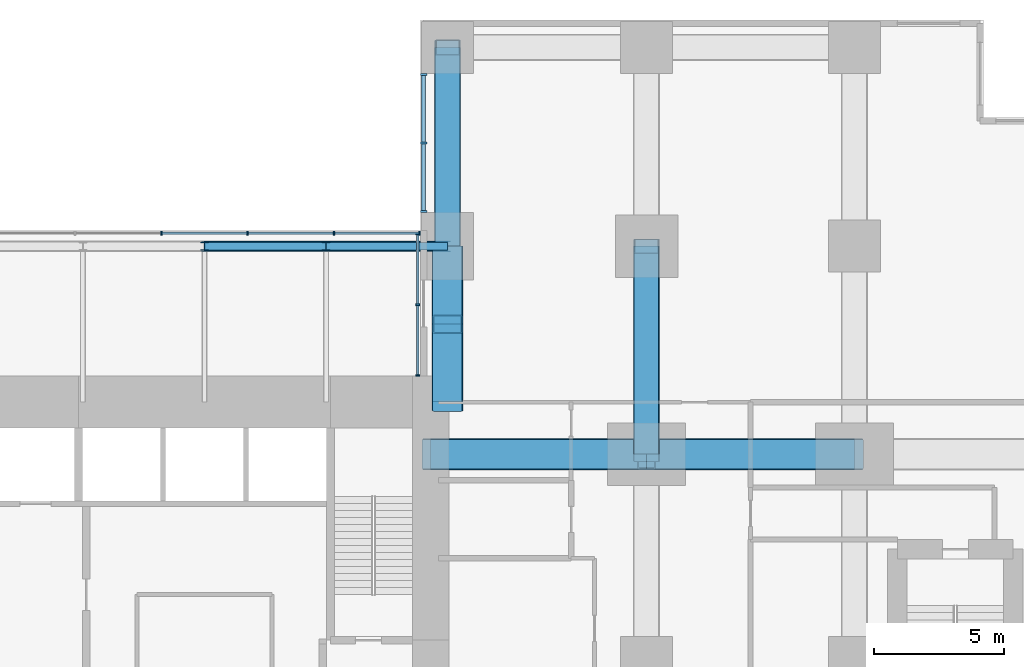
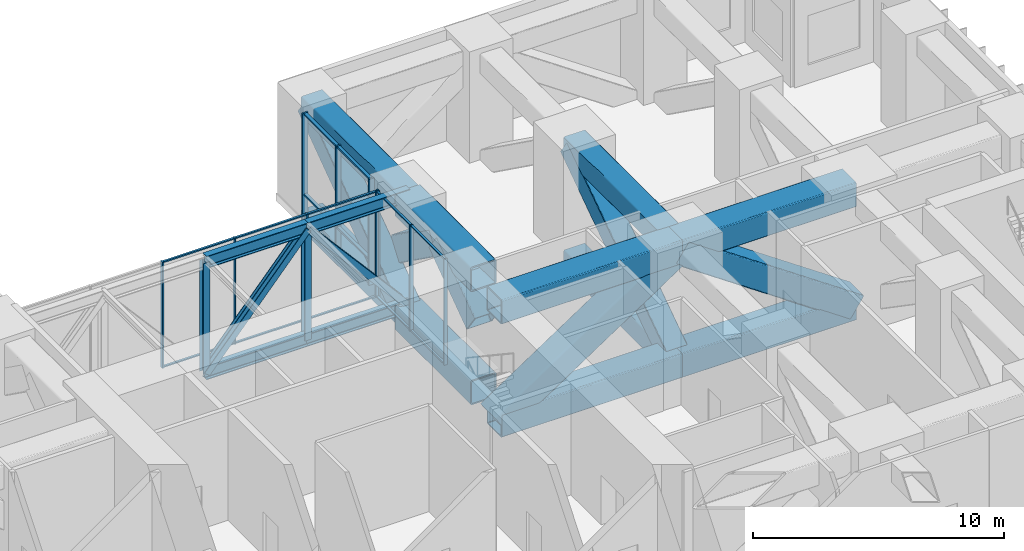
# One storey, part 6 of 17: 46 members, 4 beams, 3 elements without a shape of their own.
"""IFC4 building model written with IfcOpenShell, lengths in metres."""

import ifcopenshell
import ifcopenshell.guid

model = None  # the IFC model being written
_history = None  # IfcOwnerHistory: only IFC2X3 demands one
_inside = {}  # id of a spatial element -> (the spatial element, [elements in it])
_under = {}  # id of a project, library or spatial element -> (it, [spatial elements below it])
_declared = {}  # id of a project -> (the project, [libraries it declares])
_typed = {}  # id of a type object -> (the type object, [elements of that type])
_made_of = {}  # id of a material, layer set ... -> (it, [elements and type objects made of it])


def new_model(schema):
    """Start an empty IFC model of exactly this schema.

    Asked for "IFC4X3", IfcOpenShell would pick the latest addendum, in which some entities
    have other attributes; the version numbers below select the first issue.
    IFC2X3 requires an IfcOwnerHistory on every rooted entity: one is made here for all.
    """
    global model, _history
    if schema == "IFC4X3":
        model = ifcopenshell.file(schema_version=(4, 3, 0, 0))
    else:
        model = ifcopenshell.file(schema=schema)
    _inside.clear()
    _under.clear()
    _declared.clear()
    _typed.clear()
    _made_of.clear()
    _history = None
    if model.schema == "IFC2X3":
        org = make("IfcOrganization", Name="unknown")
        user = make(
            "IfcPersonAndOrganization",
            ThePerson=make("IfcPerson", FamilyName="unknown"),
            TheOrganization=org,
        )
        app = make(
            "IfcApplication",
            ApplicationDeveloper=org,
            Version="unknown",
            ApplicationFullName="unknown",
            ApplicationIdentifier="unknown",
        )
        _history = make(
            "IfcOwnerHistory",
            OwningUser=user,
            OwningApplication=app,
            ChangeAction="ADDED",
            CreationDate=0,
        )
    return model


def make(cls, **values):
    """One entity of the class cls with the attributes given. An attribute that is None is left unset."""
    return model.create_entity(
        cls, **{name: value for name, value in values.items() if value is not None}
    )


def rooted(cls, **values):
    """An entity with a GlobalId (a new one), such as an element, a storey or a relation."""
    return make(cls, GlobalId=ifcopenshell.guid.new(), OwnerHistory=_history, **values)


def si_unit(unit_type, name, prefix=None):
    """IfcSIUnit, for example si_unit("LENGTHUNIT", "METRE", prefix="MILLI")."""
    return make("IfcSIUnit", UnitType=unit_type, Prefix=prefix, Name=name)


def assignment(units):
    """IfcUnitAssignment: the units of a project."""
    return None if units is None else make("IfcUnitAssignment", Units=units)


def point(xyz):
    """IfcCartesianPoint."""
    return None if xyz is None else make("IfcCartesianPoint", Coordinates=xyz)


def direction(xyz):
    """IfcDirection."""
    return None if xyz is None else make("IfcDirection", DirectionRatios=xyz)


def frame(location, z_axis=None, x_axis=None):
    """IfcAxis2Placement3D, a coordinate frame: its origin and axes. An axis left out is left unset."""
    return make(
        "IfcAxis2Placement3D",
        Location=point(location),
        Axis=direction(z_axis),
        RefDirection=direction(x_axis),
    )


def frame_2d(location, x_axis=None):
    """IfcAxis2Placement2D, a coordinate frame in the plane: its origin and x axis."""
    return make(
        "IfcAxis2Placement2D", Location=point(location), RefDirection=direction(x_axis)
    )


def origin():
    """The frame at (0, 0, 0) with its axes left unset."""
    return frame((0.0, 0.0, 0.0))


def origin_2d():
    """The frame at (0, 0) in the plane with its x axis left unset."""
    return frame_2d((0.0, 0.0))


def place(relative_to, where):
    """IfcLocalPlacement: puts the frame where relative to a parent placement (None: the world)."""
    return make(
        "IfcLocalPlacement", PlacementRelTo=relative_to, RelativePlacement=where
    )


def context(
    kind, dimensions, precision=None, world=None, true_north=None, identifier=None
):
    """IfcGeometricRepresentationContext, for example the 3D "Model" context."""
    return make(
        "IfcGeometricRepresentationContext",
        ContextIdentifier=identifier,
        ContextType=kind,
        CoordinateSpaceDimension=dimensions,
        Precision=precision,
        WorldCoordinateSystem=world,
        TrueNorth=true_north,
    )


def subcontext(parent, identifier, kind, view, scale=None):
    """IfcGeometricRepresentationSubContext, for example "Body" below "Model"."""
    return make(
        "IfcGeometricRepresentationSubContext",
        ContextIdentifier=identifier,
        ContextType=kind,
        ParentContext=parent,
        TargetScale=scale,
        TargetView=view,
    )


def project(units=None, contexts=None):
    """IfcProject with its units and contexts."""
    return rooted(
        "IfcProject",
        Name="project",
        RepresentationContexts=contexts,
        UnitsInContext=assignment(units),
    )


def spatial(cls, under=None, at=None, **own):
    """A site, building, storey or space (cls), placed at a placement, below another one or the project."""
    s = rooted(cls, ObjectPlacement=at, **own)
    if under is not None:
        _under.setdefault(under.id(), (under, []))[1].append(s)
    return s


def profile(cls, at=None, kind="AREA", **sizes):
    """A parametric profile (cls). Its sizes go by their IFC names, for example OverallWidth=200.0."""
    return make(cls, ProfileType=kind, Position=at, **sizes)


def rectangle(**sizes):
    """IfcRectangleProfileDef."""
    return profile("IfcRectangleProfileDef", **sizes)


def hollow_rectangle(**sizes):
    """IfcRectangleHollowProfileDef."""
    return profile("IfcRectangleHollowProfileDef", **sizes)


def i_section(**sizes):
    """IfcIShapeProfileDef."""
    return profile("IfcIShapeProfileDef", **sizes)


def extrude(swept, where, along, depth):
    """IfcExtrudedAreaSolid: the profile swept, set in the frame where, extruded along a direction by depth."""
    return make(
        "IfcExtrudedAreaSolid",
        SweptArea=swept,
        Position=where,
        ExtrudedDirection=direction(along),
        Depth=depth,
    )


def shape(context_of_items, identifier, shape_type, items):
    """IfcShapeRepresentation: the items that make up one representation, for example the "Body"."""
    return make(
        "IfcShapeRepresentation",
        ContextOfItems=context_of_items,
        RepresentationIdentifier=identifier,
        RepresentationType=shape_type,
        Items=items,
    )


def material(Name=None, Category=None):
    """IfcMaterial."""
    return make("IfcMaterial", Name=Name, Category=Category)


def layer(
    of_material, thickness, ventilated=None, Name=None, Category=None, Priority=None
):
    """IfcMaterialLayer: one layer of a wall or slab, of a material (None: an air gap)."""
    return make(
        "IfcMaterialLayer",
        Material=of_material,
        LayerThickness=thickness,
        IsVentilated=ventilated,
        Name=Name,
        Category=Category,
        Priority=Priority,
    )


def layer_set(layers, Name=None):
    """IfcMaterialLayerSet."""
    return make("IfcMaterialLayerSet", MaterialLayers=layers, LayerSetName=Name)


def material_profile(
    of_material, cross_section, Name=None, Category=None, Priority=None
):
    """IfcMaterialProfile: a cross section and its material."""
    return make(
        "IfcMaterialProfile",
        Name=Name,
        Material=of_material,
        Profile=cross_section,
        Priority=Priority,
        Category=Category,
    )


def profile_set(profiles, Name=None, composite=None):
    """IfcMaterialProfileSet."""
    return make(
        "IfcMaterialProfileSet",
        Name=Name,
        MaterialProfiles=profiles,
        CompositeProfile=composite,
    )


def made_of(thing, what):
    """Note that an element or type object is made of a material, layer set ...; save() writes the relation."""
    if what is not None:
        _made_of.setdefault(what.id(), (what, []))[1].append(thing)
    return thing


def type_object(cls, material=None, **own):
    """A type object (cls), such as IfcWallType, which elements share."""
    return made_of(rooted(cls, **own), material)


def element(
    cls,
    number,
    at=None,
    inside=None,
    cuts=None,
    type_object=None,
    material=None,
    context=None,
    identifier="Body",
    shape_type=None,
    held_by="IfcProductDefinitionShape",
    body=None,
    shapes=None,
    **own,
):
    """One element of the class cls, such as IfcWall. Its Tag is "e" and its number.

    at: its placement. inside: the storey or other place that contains it. cuts: it is an
    opening in that element (IfcRelVoidsElement). A single representation is given by context,
    identifier, shape_type and body (its items); several are given by shapes. held_by: the class
    of the entity that holds the representations. save() writes the other relations.
    """
    e = rooted(cls, Tag="e%d" % number, ObjectPlacement=at, **own)
    if body is not None:
        shapes = [shape(context, identifier, shape_type, body)]
    if shapes is not None:
        e.Representation = make(held_by, Representations=shapes)
    if inside is not None:
        _inside.setdefault(inside.id(), (inside, []))[1].append(e)
    if cuts is not None:
        rooted(
            "IfcRelVoidsElement", RelatingBuildingElement=cuts, RelatedOpeningElement=e
        )
    if type_object is not None:
        _typed.setdefault(type_object.id(), (type_object, []))[1].append(e)
    return made_of(e, material)


def aggregate(whole, parts):
    """IfcRelAggregates: a whole, such as a stair, and the parts it consists of."""
    return rooted("IfcRelAggregates", RelatingObject=whole, RelatedObjects=parts)


def save(model, path):
    """Write the relations noted so far, then the file.

    IfcRelAggregates (storeys below a building ...), IfcRelContainedInSpatialStructure (elements
    in a storey), IfcRelDefinesByType, IfcRelAssociatesMaterial and IfcRelDeclares: one each for
    every whole, place, type object, material and project.
    """
    for whole, parts in _under.values():
        aggregate(whole, parts)
    for where, things in _inside.values():
        rooted(
            "IfcRelContainedInSpatialStructure",
            RelatedElements=things,
            RelatingStructure=where,
        )
    for kind, things in _typed.values():
        rooted("IfcRelDefinesByType", RelatedObjects=things, RelatingType=kind)
    for what, things in _made_of.values():
        rooted("IfcRelAssociatesMaterial", RelatedObjects=things, RelatingMaterial=what)
    for by, libraries in _declared.values():
        rooted("IfcRelDeclares", RelatingContext=by, RelatedDefinitions=libraries)
    model.write(path)


model = new_model("IFC4")

# Units and contexts
model_context = context("Model", 3, precision=1e-05, world=origin(), true_north=direction((0.0, 1.0)))
body_context = subcontext(model_context, "Body", "Model", "MODEL_VIEW")
ifc_project = project(units=[si_unit("LENGTHUNIT", "METRE"), si_unit("AREAUNIT", "SQUARE_METRE"), si_unit("VOLUMEUNIT", "CUBIC_METRE"), si_unit("PLANEANGLEUNIT", "RADIAN"), si_unit("MASSUNIT", "GRAM", prefix="KILO")], contexts=[model_context])

# Site, building, storey
site_placement = place(None, origin())
site = spatial("IfcSite", under=ifc_project, at=site_placement, CompositionType="ELEMENT")
building_placement = place(site_placement, origin())
building = spatial("IfcBuilding", under=site, at=building_placement, Name="Cleftline Residences", CompositionType="ELEMENT")
storey_placement = place(building_placement, frame((0.0, 0.0, 90.800048828125)))
storey = spatial("IfcBuildingStorey", under=building, at=storey_placement, Name="L23", CompositionType="ELEMENT", Elevation=90.800048828125)

# Members
ifc_material_1 = material(Name="Steel S355", Category="steel")
ifc_material_profile_1 = material_profile(ifc_material_1, hollow_rectangle(XDim=1.0, YDim=1.0, WallThickness=0.0400390625, InnerFilletRadius=0.0400390625, OuterFilletRadius=0.06005859375, at=origin_2d()))
ifc_profile_set_1 = profile_set([ifc_material_profile_1], Name="Steel S355")
member_type_1 = type_object("IfcMemberType", Name="BRACE BOX 1000X1000X40", PredefinedType="BRACE", material=ifc_profile_set_1)
member_1_placement = place(storey_placement, frame((42.35009765625, 40.0, -0.85009765625), z_axis=(0.0, 0.811933238445, 0.583750303048), x_axis=(0.0, -0.583750303048, 0.811933238445)))
element("IfcMember", 1, at=member_1_placement, inside=storey, type_object=member_type_1, Name="Belt truss diagonal", PredefinedType="BRACE", context=body_context, shape_type="SweptSolid", body=[
    extrude(hollow_rectangle(XDim=1.0, YDim=1.0, WallThickness=0.0400390625, InnerFilletRadius=0.0400390625, OuterFilletRadius=0.06005859375, at=origin_2d()), origin(), (0.0, 0.0, 1.0), 9.421875),
])
member_2_placement = place(storey_placement, frame((50.0, 32.0, -0.85009765625), z_axis=(0.0, 0.824041924199, 0.566528822887), x_axis=(0.0, -0.566528822887, 0.824041924199)))
element("IfcMember", 2, at=member_2_placement, inside=storey, type_object=member_type_1, Name="Belt truss diagonal", PredefinedType="BRACE", context=body_context, shape_type="SweptSolid", body=[
    extrude(hollow_rectangle(XDim=1.0, YDim=1.0, WallThickness=0.0400390625, InnerFilletRadius=0.0400390625, OuterFilletRadius=0.06005859375, at=origin_2d()), origin(), (0.0, 0.0, 1.0), 9.708251953125),
])
ifc_material_2 = material(Name="Steel S355", Category="steel")
ifc_material_profile_2 = material_profile(ifc_material_2, hollow_rectangle(XDim=1.199951171875, YDim=1.199951171875, WallThickness=0.06005859375, InnerFilletRadius=0.06005859375, OuterFilletRadius=0.090087890625, at=origin_2d()))
ifc_profile_set_2 = profile_set([ifc_material_profile_2], Name="Steel S355")
member_type_2 = type_object("IfcMemberType", Name="BRACE BOX 1200X1200X60", PredefinedType="BRACE", material=ifc_profile_set_2)
member_3_placement = place(storey_placement, frame((41.699951171875, 32.0, -0.949951171875), z_axis=(0.833593682581, 0.0, 0.552378106338), x_axis=(-0.552378106338, 0.0, 0.833593682581)))
element("IfcMember", 3, at=member_3_placement, inside=storey, type_object=member_type_2, Name="Outrigger truss diagonal", PredefinedType="BRACE", context=body_context, shape_type="SweptSolid", body=[
    extrude(hollow_rectangle(XDim=1.199951171875, YDim=1.199951171875, WallThickness=0.06005859375, InnerFilletRadius=0.06005859375, OuterFilletRadius=0.090087890625, at=origin_2d()), origin(), (0.0, 0.0, 1.0), 9.95703125),
])
member_4_placement = place(storey_placement, frame((50.0, 32.0, 4.550048828125), z_axis=(0.824041924199, 0.0, -0.566528822887), x_axis=(0.566528822887, 0.0, 0.824041924199)))
element("IfcMember", 4, at=member_4_placement, inside=storey, type_object=member_type_2, Name="Outrigger truss diagonal", PredefinedType="BRACE", context=body_context, shape_type="SweptSolid", body=[
    extrude(hollow_rectangle(XDim=1.199951171875, YDim=1.199951171875, WallThickness=0.06005859375, InnerFilletRadius=0.06005859375, OuterFilletRadius=0.090087890625, at=origin_2d()), origin(), (0.0, 0.0, 1.0), 9.708251953125),
])
for number, where, z_axis, x_axis, name in (
    (5, (42.35009765625, 40.0, 2.39990234375), (0.0, -0.812798335898, 0.582545161479), (0.0, 0.582545161479, 0.812798335898), "Outrigger truss diagonal"),
    (6, (42.35009765625, 34.0, 2.39990234375), (0.0, 0.812798335898, 0.582545161479), (0.0, -0.582545161479, 0.812798335898), "Outrigger truss diagonal"),
):
    element("IfcMember", number, at=place(storey_placement, frame(where, z_axis=z_axis, x_axis=x_axis)), inside=storey, type_object=member_type_2, Name=name, PredefinedType="BRACE", context=body_context, shape_type="SweptSolid", body=[
        extrude(hollow_rectangle(XDim=1.199951171875, YDim=1.199951171875, WallThickness=0.06005859375, InnerFilletRadius=0.06005859375, OuterFilletRadius=0.090087890625, at=origin_2d()), origin(), (0.0, 0.0, 1.0), 3.69091796875),
    ])
ifc_material_3 = material(Name="Steel S355", Category="steel")
ifc_material_profile_3 = material_profile(ifc_material_3, i_section(OverallWidth=0.300048828125, OverallDepth=0.39990234375, WebThickness=0.013427734375, FlangeThickness=0.02392578125, FilletRadius=0.027099609375, at=origin_2d()))
ifc_profile_set_3 = profile_set([ifc_material_profile_3], Name="Steel S355")
member_type_3 = type_object("IfcMemberType", Name="BRACE HEB 400", PredefinedType="BRACE", material=ifc_profile_set_3)
for number, where, z_axis, x_axis, name in (
    (7, (33.0, 40.0, -0.5), (0.654541355199, 0.0, 0.756026199503), (-0.756026199503, 0.0, 0.654541355199), "Sky bridge truss diagonal"),
    (8, (37.675048828125, 40.0, 4.89990234375), (0.654541355199, 0.0, -0.756026199503), (0.756026199503, 0.0, 0.654541355199), "Sky bridge truss diagonal"),
):
    element("IfcMember", number, at=place(storey_placement, frame(where, z_axis=z_axis, x_axis=x_axis)), inside=storey, type_object=member_type_3, Name=name, PredefinedType="BRACE", context=body_context, shape_type="SweptSolid", body=[
        extrude(i_section(OverallWidth=0.300048828125, OverallDepth=0.39990234375, WebThickness=0.013427734375, FlangeThickness=0.02392578125, FilletRadius=0.027099609375, at=origin_2d()), origin(), (0.0, 0.0, 1.0), 7.142578125),
    ])

# Beams
ifc_material_4 = material(Name="Steel S355", Category="steel")
ifc_material_profile_4 = material_profile(ifc_material_4, i_section(OverallWidth=0.300048828125, OverallDepth=0.60009765625, WebThickness=0.015380859375, FlangeThickness=0.030029296875, FilletRadius=0.027099609375, at=origin_2d()))
ifc_profile_set_4 = profile_set([ifc_material_profile_4], Name="Steel S355")
beam_type = type_object("IfcBeamType", Name="BRIDGE CHORD HEB 600", PredefinedType="BEAM", material=ifc_profile_set_4)
for number, where, z_axis, x_axis, name in (
    (9, (33.0, 40.0, -0.5), (1.0, 0.0, 0.0), (0.0, 1.0, 0.0), "Sky bridge truss bottom chord"),
    (10, (33.0, 40.0, 4.89990234375), (1.0, 0.0, 0.0), (0.0, 1.0, 0.0), "Sky bridge truss top chord"),
    (11, (37.675048828125, 40.0, -0.5), (1.0, 0.0, 0.0), (0.0, 1.0, 0.0), "Sky bridge truss bottom chord"),
    (12, (37.675048828125, 40.0, 4.89990234375), (1.0, 0.0, 0.0), (0.0, 1.0, 0.0), "Sky bridge truss top chord"),
):
    element("IfcBeam", number, at=place(storey_placement, frame(where, z_axis=z_axis, x_axis=x_axis)), inside=storey, type_object=beam_type, Name=name, PredefinedType="BEAM", context=body_context, shape_type="SweptSolid", body=[
        extrude(i_section(OverallWidth=0.300048828125, OverallDepth=0.60009765625, WebThickness=0.015380859375, FlangeThickness=0.030029296875, FilletRadius=0.027099609375, at=origin_2d()), origin(), (0.0, 0.0, 1.0), 4.675048828125),
    ])

# Members
ifc_material_5 = material(Name="Steel S355", Category="steel")
ifc_material_profile_5 = material_profile(ifc_material_5, hollow_rectangle(XDim=1.0, YDim=1.0, WallThickness=0.0400390625, InnerFilletRadius=0.0400390625, OuterFilletRadius=0.06005859375, at=origin_2d()))
ifc_profile_set_5 = profile_set([ifc_material_profile_5], Name="Steel S355")
member_type_4 = type_object("IfcMemberType", Name="CHORD BOX 1000X1000X40", PredefinedType="CHORD", material=ifc_profile_set_5)
for number, where, z_axis, x_axis, name in (
    (13, (42.35009765625, 40.0, -0.85009765625), (0.0, 1.0, 0.0), (-1.0, 0.0, 0.0), "Belt truss bottom chord"),
    (14, (42.35009765625, 40.0, 4.64990234375), (0.0, 1.0, 0.0), (-1.0, 0.0, 0.0), "Belt truss top chord"),
):
    element("IfcMember", number, at=place(storey_placement, frame(where, z_axis=z_axis, x_axis=x_axis)), inside=storey, type_object=member_type_4, Name=name, PredefinedType="CHORD", context=body_context, shape_type="SweptSolid", body=[
        extrude(hollow_rectangle(XDim=1.0, YDim=1.0, WallThickness=0.0400390625, InnerFilletRadius=0.0400390625, OuterFilletRadius=0.06005859375, at=origin_2d()), origin(), (0.0, 0.0, 1.0), 7.64990234375),
    ])
for number, where, z_axis, x_axis, name in (
    (15, (50.0, 32.0, -0.85009765625), (0.0, 1.0, 0.0), (-1.0, 0.0, 0.0), "Belt truss bottom chord"),
    (16, (50.0, 32.0, 4.64990234375), (0.0, 1.0, 0.0), (-1.0, 0.0, 0.0), "Belt truss top chord"),
):
    element("IfcMember", number, at=place(storey_placement, frame(where, z_axis=z_axis, x_axis=x_axis)), inside=storey, type_object=member_type_4, Name=name, PredefinedType="CHORD", context=body_context, shape_type="SweptSolid", body=[
        extrude(hollow_rectangle(XDim=1.0, YDim=1.0, WallThickness=0.0400390625, InnerFilletRadius=0.0400390625, OuterFilletRadius=0.06005859375, at=origin_2d()), origin(), (0.0, 0.0, 1.0), 8.0),
    ])
ifc_material_6 = material(Name="Steel S355", Category="steel")
ifc_material_profile_6 = material_profile(ifc_material_6, hollow_rectangle(XDim=1.199951171875, YDim=1.199951171875, WallThickness=0.06005859375, InnerFilletRadius=0.06005859375, OuterFilletRadius=0.090087890625, at=origin_2d()))
ifc_profile_set_6 = profile_set([ifc_material_profile_6], Name="Steel S355")
member_type_5 = type_object("IfcMemberType", Name="CHORD BOX 1200X1200X60", PredefinedType="CHORD", material=ifc_profile_set_6)
for number, where, z_axis, x_axis, name in (
    (17, (41.699951171875, 32.0, -0.949951171875), (1.0, 0.0, 0.0), (0.0, 1.0, 0.0), "Outrigger truss bottom chord"),
    (18, (41.699951171875, 32.0, 4.550048828125), (1.0, 0.0, 0.0), (0.0, 1.0, 0.0), "Outrigger truss top chord"),
):
    element("IfcMember", number, at=place(storey_placement, frame(where, z_axis=z_axis, x_axis=x_axis)), inside=storey, type_object=member_type_5, Name=name, PredefinedType="CHORD", context=body_context, shape_type="SweptSolid", body=[
        extrude(hollow_rectangle(XDim=1.199951171875, YDim=1.199951171875, WallThickness=0.06005859375, InnerFilletRadius=0.06005859375, OuterFilletRadius=0.090087890625, at=origin_2d()), origin(), (0.0, 0.0, 1.0), 8.300048828125),
    ])
for number, where, z_axis, x_axis, name in (
    (19, (50.0, 32.0, -0.949951171875), (1.0, 0.0, 0.0), (0.0, 1.0, 0.0), "Outrigger truss bottom chord"),
    (20, (50.0, 32.0, 4.550048828125), (1.0, 0.0, 0.0), (0.0, 1.0, 0.0), "Outrigger truss top chord"),
):
    element("IfcMember", number, at=place(storey_placement, frame(where, z_axis=z_axis, x_axis=x_axis)), inside=storey, type_object=member_type_5, Name=name, PredefinedType="CHORD", context=body_context, shape_type="SweptSolid", body=[
        extrude(hollow_rectangle(XDim=1.199951171875, YDim=1.199951171875, WallThickness=0.06005859375, InnerFilletRadius=0.06005859375, OuterFilletRadius=0.090087890625, at=origin_2d()), origin(), (0.0, 0.0, 1.0), 8.0),
    ])
for number, where, z_axis, x_axis, name in (
    (21, (42.35009765625, 40.0, -0.949951171875), (0.0, -1.0, 0.0), (1.0, 0.0, 0.0), "Outrigger truss bottom chord"),
    (22, (42.35009765625, 40.0, 4.550048828125), (0.0, -1.0, 0.0), (1.0, 0.0, 0.0), "Outrigger truss top chord"),
):
    element("IfcMember", number, at=place(storey_placement, frame(where, z_axis=z_axis, x_axis=x_axis)), inside=storey, type_object=member_type_5, Name=name, PredefinedType="CHORD", context=body_context, shape_type="SweptSolid", body=[
        extrude(hollow_rectangle(XDim=1.199951171875, YDim=1.199951171875, WallThickness=0.06005859375, InnerFilletRadius=0.06005859375, OuterFilletRadius=0.090087890625, at=origin_2d()), origin(), (0.0, 0.0, 1.0), 6.0),
    ])

# Curtain wall, members
ifc_material_7 = material(Name="Aluminium framed curtain wall", Category="aluminium")
ifc_layer_1 = layer(ifc_material_7, 0.199951171875)
ifc_layer_set_1 = layer_set([ifc_layer_1], Name="CW3 BRIDGE GLAZING")
curtain_wall_type_1 = type_object("IfcCurtainWallType", Name="CW3 BRIDGE GLAZING", PredefinedType="NOTDEFINED", material=ifc_layer_set_1)
curtain_wall_1_placement = place(storey_placement, origin())
curtain_wall_1 = element("IfcCurtainWall", 23, at=curtain_wall_1_placement, inside=storey, type_object=curtain_wall_type_1, Name="Curtain wall CW3", PredefinedType="NOTDEFINED")
ifc_material_8 = material(Name="Aluminium mullion", Category="aluminium")
ifc_material_profile_7 = material_profile(ifc_material_8, rectangle(XDim=0.159912109375, YDim=0.06005859375, at=origin_2d()))
ifc_profile_set_7 = profile_set([ifc_material_profile_7], Name="Aluminium mullion")
member_type_6 = type_object("IfcMemberType", Name="CW3 MULLION", PredefinedType="MULLION", material=ifc_profile_set_7)
member_5_placement = place(storey_placement, frame((41.27001953125, 40.5, 0.0), z_axis=(0.0, 0.0, 1.0), x_axis=(0.0, -1.0, 0.0)))
member_5 = element("IfcMember", 24, at=member_5_placement, type_object=member_type_6, Name="CW3 mullion 1", PredefinedType="MULLION", context=body_context, shape_type="SweptSolid", body=[
    extrude(rectangle(XDim=0.159912109375, YDim=0.06005859375, at=origin_2d()), origin(), (0.0, 0.0, 1.0), 5.14990234375),
])
member_6_placement = place(storey_placement, frame((37.97998046875, 40.5, 0.0), z_axis=(0.0, 0.0, 1.0), x_axis=(0.0, -1.0, 0.0)))
member_6 = element("IfcMember", 25, at=member_6_placement, type_object=member_type_6, Name="CW3 mullion 2", PredefinedType="MULLION", context=body_context, shape_type="SweptSolid", body=[
    extrude(rectangle(XDim=0.159912109375, YDim=0.06005859375, at=origin_2d()), origin(), (0.0, 0.0, 1.0), 5.14990234375),
])
member_7_placement = place(storey_placement, frame((34.659912109375, 40.5, 0.0), z_axis=(0.0, 0.0, 1.0), x_axis=(0.0, -1.0, 0.0)))
member_7 = element("IfcMember", 26, at=member_7_placement, type_object=member_type_6, Name="CW3 mullion 3", PredefinedType="MULLION", context=body_context, shape_type="SweptSolid", body=[
    extrude(rectangle(XDim=0.159912109375, YDim=0.06005859375, at=origin_2d()), origin(), (0.0, 0.0, 1.0), 5.14990234375),
])
member_8_placement = place(storey_placement, frame((31.340087890625, 40.5, 0.0), z_axis=(0.0, 0.0, 1.0), x_axis=(0.0, -1.0, 0.0)))
member_8 = element("IfcMember", 27, at=member_8_placement, type_object=member_type_6, Name="CW3 mullion 4", PredefinedType="MULLION", context=body_context, shape_type="SweptSolid", body=[
    extrude(rectangle(XDim=0.159912109375, YDim=0.06005859375, at=origin_2d()), origin(), (0.0, 0.0, 1.0), 5.14990234375),
])

curtain_wall_2_placement = place(storey_placement, origin())
curtain_wall_2 = element("IfcCurtainWall", 28, at=curtain_wall_2_placement, inside=storey, type_object=curtain_wall_type_1, Name="Curtain wall CW3", PredefinedType="NOTDEFINED")
member_9_placement = place(storey_placement, frame((41.199951171875, 40.469970703125, 0.0), z_axis=(0.0, 0.0, 1.0), x_axis=(1.0, 0.0, 0.0)))
member_9 = element("IfcMember", 29, at=member_9_placement, type_object=member_type_6, Name="CW3 mullion 1", PredefinedType="MULLION", context=body_context, shape_type="SweptSolid", body=[
    extrude(rectangle(XDim=0.159912109375, YDim=0.06005859375, at=origin_2d()), origin(), (0.0, 0.0, 1.0), 5.14990234375),
])
member_10_placement = place(storey_placement, frame((41.199951171875, 37.75, 0.0), z_axis=(0.0, 0.0, 1.0), x_axis=(1.0, 0.0, 0.0)))
member_10 = element("IfcMember", 30, at=member_10_placement, type_object=member_type_6, Name="CW3 mullion 2", PredefinedType="MULLION", context=body_context, shape_type="SweptSolid", body=[
    extrude(rectangle(XDim=0.159912109375, YDim=0.06005859375, at=origin_2d()), origin(), (0.0, 0.0, 1.0), 5.14990234375),
])
member_11_placement = place(storey_placement, frame((41.199951171875, 35.030029296875, 0.0), z_axis=(0.0, 0.0, 1.0), x_axis=(1.0, 0.0, 0.0)))
member_11 = element("IfcMember", 31, at=member_11_placement, type_object=member_type_6, Name="CW3 mullion 3", PredefinedType="MULLION", context=body_context, shape_type="SweptSolid", body=[
    extrude(rectangle(XDim=0.159912109375, YDim=0.06005859375, at=origin_2d()), origin(), (0.0, 0.0, 1.0), 5.14990234375),
])

# Member
ifc_material_9 = material(Name="Aluminium transom", Category="aluminium")
ifc_material_profile_8 = material_profile(ifc_material_9, rectangle(XDim=0.095947265625, YDim=0.06005859375, at=origin_2d()))
ifc_profile_set_8 = profile_set([ifc_material_profile_8], Name="Aluminium transom")
member_type_7 = type_object("IfcMemberType", Name="CW3 TRANSOM", PredefinedType="USERDEFINED", material=ifc_profile_set_8)
member_12_placement = place(storey_placement, frame((41.239990234375, 40.5, 0.030029296875), z_axis=(-1.0, 0.0, 0.0), x_axis=(0.0, -1.0, 0.0)))
member_12 = element("IfcMember", 32, at=member_12_placement, type_object=member_type_7, Name="CW3 transom 1.1", ObjectType="TRANSOM", PredefinedType="USERDEFINED", context=body_context, shape_type="SweptSolid", body=[
    extrude(rectangle(XDim=0.095947265625, YDim=0.06005859375, at=origin_2d()), origin(), (0.0, 0.0, 1.0), 3.22998046875),
])

member_13_placement = place(storey_placement, frame((41.239990234375, 40.5, 5.119873046875), z_axis=(-1.0, 0.0, 0.0), x_axis=(0.0, -1.0, 0.0)))
member_13 = element("IfcMember", 33, at=member_13_placement, type_object=member_type_7, Name="CW3 transom 1.2", ObjectType="TRANSOM", PredefinedType="USERDEFINED", context=body_context, shape_type="SweptSolid", body=[
    extrude(rectangle(XDim=0.095947265625, YDim=0.06005859375, at=origin_2d()), origin(), (0.0, 0.0, 1.0), 3.22998046875),
])

member_14_placement = place(storey_placement, frame((37.949951171875, 40.5, 0.030029296875), z_axis=(-1.0, 0.0, 0.0), x_axis=(0.0, -1.0, 0.0)))
member_14 = element("IfcMember", 34, at=member_14_placement, type_object=member_type_7, Name="CW3 transom 2.1", ObjectType="TRANSOM", PredefinedType="USERDEFINED", context=body_context, shape_type="SweptSolid", body=[
    extrude(rectangle(XDim=0.095947265625, YDim=0.06005859375, at=origin_2d()), origin(), (0.0, 0.0, 1.0), 3.260009765625),
])

member_15_placement = place(storey_placement, frame((37.949951171875, 40.5, 5.119873046875), z_axis=(-1.0, 0.0, 0.0), x_axis=(0.0, -1.0, 0.0)))
member_15 = element("IfcMember", 35, at=member_15_placement, type_object=member_type_7, Name="CW3 transom 2.2", ObjectType="TRANSOM", PredefinedType="USERDEFINED", context=body_context, shape_type="SweptSolid", body=[
    extrude(rectangle(XDim=0.095947265625, YDim=0.06005859375, at=origin_2d()), origin(), (0.0, 0.0, 1.0), 3.260009765625),
])

member_16_placement = place(storey_placement, frame((34.6298828125, 40.5, 0.030029296875), z_axis=(-1.0, 0.0, 0.0), x_axis=(0.0, -1.0, 0.0)))
member_16 = element("IfcMember", 36, at=member_16_placement, type_object=member_type_7, Name="CW3 transom 3.1", ObjectType="TRANSOM", PredefinedType="USERDEFINED", context=body_context, shape_type="SweptSolid", body=[
    extrude(rectangle(XDim=0.095947265625, YDim=0.06005859375, at=origin_2d()), origin(), (0.0, 0.0, 1.0), 3.259765625),
])

member_17_placement = place(storey_placement, frame((34.6298828125, 40.5, 5.119873046875), z_axis=(-1.0, 0.0, 0.0), x_axis=(0.0, -1.0, 0.0)))
member_17 = element("IfcMember", 37, at=member_17_placement, type_object=member_type_7, Name="CW3 transom 3.2", ObjectType="TRANSOM", PredefinedType="USERDEFINED", context=body_context, shape_type="SweptSolid", body=[
    extrude(rectangle(XDim=0.095947265625, YDim=0.06005859375, at=origin_2d()), origin(), (0.0, 0.0, 1.0), 3.259765625),
])

aggregate(curtain_wall_1, [member_5, member_6, member_7, member_8, member_12, member_13, member_14, member_15, member_16, member_17])

member_18_placement = place(storey_placement, frame((41.199951171875, 40.43994140625, 0.030029296875), z_axis=(0.0, -1.0, 0.0), x_axis=(1.0, 0.0, 0.0)))
member_18 = element("IfcMember", 38, at=member_18_placement, type_object=member_type_7, Name="CW3 transom 1.1", ObjectType="TRANSOM", PredefinedType="USERDEFINED", context=body_context, shape_type="SweptSolid", body=[
    extrude(rectangle(XDim=0.095947265625, YDim=0.06005859375, at=origin_2d()), origin(), (0.0, 0.0, 1.0), 2.659912109375),
])

member_19_placement = place(storey_placement, frame((41.199951171875, 40.43994140625, 5.119873046875), z_axis=(0.0, -1.0, 0.0), x_axis=(1.0, 0.0, 0.0)))
member_19 = element("IfcMember", 39, at=member_19_placement, type_object=member_type_7, Name="CW3 transom 1.2", ObjectType="TRANSOM", PredefinedType="USERDEFINED", context=body_context, shape_type="SweptSolid", body=[
    extrude(rectangle(XDim=0.095947265625, YDim=0.06005859375, at=origin_2d()), origin(), (0.0, 0.0, 1.0), 2.659912109375),
])

member_20_placement = place(storey_placement, frame((41.199951171875, 37.719970703125, 0.030029296875), z_axis=(0.0, -1.0, 0.0), x_axis=(1.0, 0.0, 0.0)))
member_20 = element("IfcMember", 40, at=member_20_placement, type_object=member_type_7, Name="CW3 transom 2.1", ObjectType="TRANSOM", PredefinedType="USERDEFINED", context=body_context, shape_type="SweptSolid", body=[
    extrude(rectangle(XDim=0.095947265625, YDim=0.06005859375, at=origin_2d()), origin(), (0.0, 0.0, 1.0), 2.659912109375),
])

member_21_placement = place(storey_placement, frame((41.199951171875, 37.719970703125, 5.119873046875), z_axis=(0.0, -1.0, 0.0), x_axis=(1.0, 0.0, 0.0)))
member_21 = element("IfcMember", 41, at=member_21_placement, type_object=member_type_7, Name="CW3 transom 2.2", ObjectType="TRANSOM", PredefinedType="USERDEFINED", context=body_context, shape_type="SweptSolid", body=[
    extrude(rectangle(XDim=0.095947265625, YDim=0.06005859375, at=origin_2d()), origin(), (0.0, 0.0, 1.0), 2.659912109375),
])

aggregate(curtain_wall_2, [member_9, member_10, member_11, member_18, member_19, member_20, member_21])

# Curtain wall, members
ifc_material_10 = material(Name="Aluminium framed louvre screen", Category="aluminium")
ifc_layer_2 = layer(ifc_material_10, 0.25)
ifc_layer_set_2 = layer_set([ifc_layer_2], Name="CW6 REFUGE LOUVRE SCREEN")
curtain_wall_type_2 = type_object("IfcCurtainWallType", Name="CW6 REFUGE LOUVRE SCREEN", PredefinedType="NOTDEFINED", material=ifc_layer_set_2)
curtain_wall_3_placement = place(storey_placement, origin())
curtain_wall_3 = element("IfcCurtainWall", 42, at=curtain_wall_3_placement, inside=storey, type_object=curtain_wall_type_2, Name="Louvre screen CW6", PredefinedType="NOTDEFINED")
ifc_material_11 = material(Name="Aluminium louvre mullion", Category="aluminium")
ifc_material_profile_9 = material_profile(ifc_material_11, rectangle(XDim=0.25, YDim=0.080078125, at=origin_2d()))
ifc_profile_set_9 = profile_set([ifc_material_profile_9], Name="Aluminium louvre mullion")
member_type_8 = type_object("IfcMemberType", Name="CW6 LOUVRE MULLION", PredefinedType="MULLION", material=ifc_profile_set_9)
member_22_placement = place(storey_placement, frame((41.425048828125, 46.610107421875, 0.0), z_axis=(0.0, 0.0, 1.0), x_axis=(1.0, 0.0, 0.0)))
member_22 = element("IfcMember", 43, at=member_22_placement, type_object=member_type_8, Name="CW6 mullion 1", PredefinedType="MULLION", context=body_context, shape_type="SweptSolid", body=[
    extrude(rectangle(XDim=0.25, YDim=0.080078125, at=origin_2d()), origin(), (0.0, 0.0, 1.0), 5.14990234375),
])
member_23_placement = place(storey_placement, frame((41.425048828125, 43.97509765625, 0.0), z_axis=(0.0, 0.0, 1.0), x_axis=(1.0, 0.0, 0.0)))
member_23 = element("IfcMember", 44, at=member_23_placement, type_object=member_type_8, Name="CW6 mullion 2", PredefinedType="MULLION", context=body_context, shape_type="SweptSolid", body=[
    extrude(rectangle(XDim=0.25, YDim=0.080078125, at=origin_2d()), origin(), (0.0, 0.0, 1.0), 5.14990234375),
])
member_24_placement = place(storey_placement, frame((41.425048828125, 41.340087890625, 0.0), z_axis=(0.0, 0.0, 1.0), x_axis=(1.0, 0.0, 0.0)))
member_24 = element("IfcMember", 45, at=member_24_placement, type_object=member_type_8, Name="CW6 mullion 3", PredefinedType="MULLION", context=body_context, shape_type="SweptSolid", body=[
    extrude(rectangle(XDim=0.25, YDim=0.080078125, at=origin_2d()), origin(), (0.0, 0.0, 1.0), 5.14990234375),
])
ifc_material_12 = material(Name="Aluminium louvre transom", Category="aluminium")
ifc_material_profile_10 = material_profile(ifc_material_12, rectangle(XDim=0.14990234375, YDim=0.080078125, at=origin_2d()))
ifc_profile_set_10 = profile_set([ifc_material_profile_10], Name="Aluminium louvre transom")
member_type_9 = type_object("IfcMemberType", Name="CW6 LOUVRE TRANSOM", PredefinedType="USERDEFINED", material=ifc_profile_set_10)
member_25_placement = place(storey_placement, frame((41.425048828125, 46.570068359375, 0.0400390625), z_axis=(0.0, -1.0, 0.0), x_axis=(1.0, 0.0, 0.0)))
member_25 = element("IfcMember", 46, at=member_25_placement, type_object=member_type_9, Name="CW6 transom 1.1", ObjectType="TRANSOM", PredefinedType="USERDEFINED", context=body_context, shape_type="SweptSolid", body=[
    extrude(rectangle(XDim=0.14990234375, YDim=0.080078125, at=origin_2d()), origin(), (0.0, 0.0, 1.0), 2.55517578125),
])
member_26_placement = place(storey_placement, frame((41.425048828125, 46.570068359375, 1.199951171875), z_axis=(0.0, -1.0, 0.0), x_axis=(1.0, 0.0, 0.0)))
member_26 = element("IfcMember", 47, at=member_26_placement, type_object=member_type_9, Name="CW6 transom 1.2", ObjectType="TRANSOM", PredefinedType="USERDEFINED", context=body_context, shape_type="SweptSolid", body=[
    extrude(rectangle(XDim=0.14990234375, YDim=0.080078125, at=origin_2d()), origin(), (0.0, 0.0, 1.0), 2.55517578125),
])
member_27_placement = place(storey_placement, frame((41.425048828125, 46.570068359375, 5.10986328125), z_axis=(0.0, -1.0, 0.0), x_axis=(1.0, 0.0, 0.0)))
member_27 = element("IfcMember", 48, at=member_27_placement, type_object=member_type_9, Name="CW6 transom 1.3", ObjectType="TRANSOM", PredefinedType="USERDEFINED", context=body_context, shape_type="SweptSolid", body=[
    extrude(rectangle(XDim=0.14990234375, YDim=0.080078125, at=origin_2d()), origin(), (0.0, 0.0, 1.0), 2.55517578125),
])
member_28_placement = place(storey_placement, frame((41.425048828125, 43.93505859375, 0.0400390625), z_axis=(0.0, -1.0, 0.0), x_axis=(1.0, 0.0, 0.0)))
member_28 = element("IfcMember", 49, at=member_28_placement, type_object=member_type_9, Name="CW6 transom 2.1", ObjectType="TRANSOM", PredefinedType="USERDEFINED", context=body_context, shape_type="SweptSolid", body=[
    extrude(rectangle(XDim=0.14990234375, YDim=0.080078125, at=origin_2d()), origin(), (0.0, 0.0, 1.0), 2.55517578125),
])
member_29_placement = place(storey_placement, frame((41.425048828125, 43.93505859375, 1.199951171875), z_axis=(0.0, -1.0, 0.0), x_axis=(1.0, 0.0, 0.0)))
member_29 = element("IfcMember", 50, at=member_29_placement, type_object=member_type_9, Name="CW6 transom 2.2", ObjectType="TRANSOM", PredefinedType="USERDEFINED", context=body_context, shape_type="SweptSolid", body=[
    extrude(rectangle(XDim=0.14990234375, YDim=0.080078125, at=origin_2d()), origin(), (0.0, 0.0, 1.0), 2.55517578125),
])
member_30_placement = place(storey_placement, frame((41.425048828125, 43.93505859375, 5.10986328125), z_axis=(0.0, -1.0, 0.0), x_axis=(1.0, 0.0, 0.0)))
member_30 = element("IfcMember", 51, at=member_30_placement, type_object=member_type_9, Name="CW6 transom 2.3", ObjectType="TRANSOM", PredefinedType="USERDEFINED", context=body_context, shape_type="SweptSolid", body=[
    extrude(rectangle(XDim=0.14990234375, YDim=0.080078125, at=origin_2d()), origin(), (0.0, 0.0, 1.0), 2.55517578125),
])
aggregate(curtain_wall_3, [member_22, member_23, member_24, member_25, member_26, member_27, member_28, member_29, member_30])

# Members
ifc_material_13 = material(Name="Steel S355", Category="steel")
ifc_material_profile_11 = material_profile(ifc_material_13, i_section(OverallWidth=0.300048828125, OverallDepth=0.300048828125, WebThickness=0.010986328125, FlangeThickness=0.01904296875, FilletRadius=0.027099609375, at=origin_2d()))
ifc_profile_set_11 = profile_set([ifc_material_profile_11], Name="Steel S355")
member_type_10 = type_object("IfcMemberType", Name="POST HEB 300", PredefinedType="POST", material=ifc_profile_set_11)
for number, where, z_axis, x_axis, name in (
    (52, (33.0, 40.0, -0.5), (0.0, 0.0, 1.0), (1.0, 0.0, 0.0), "Sky bridge truss post"),
    (53, (37.675048828125, 40.0, -0.5), (0.0, 0.0, 1.0), (1.0, 0.0, 0.0), "Sky bridge truss post"),
):
    element("IfcMember", number, at=place(storey_placement, frame(where, z_axis=z_axis, x_axis=x_axis)), inside=storey, type_object=member_type_10, Name=name, PredefinedType="POST", context=body_context, shape_type="SweptSolid", body=[
        extrude(i_section(OverallWidth=0.300048828125, OverallDepth=0.300048828125, WebThickness=0.010986328125, FlangeThickness=0.01904296875, FilletRadius=0.027099609375, at=origin_2d()), origin(), (0.0, 0.0, 1.0), 5.39990234375),
    ])

save(model, "model.ifc")
